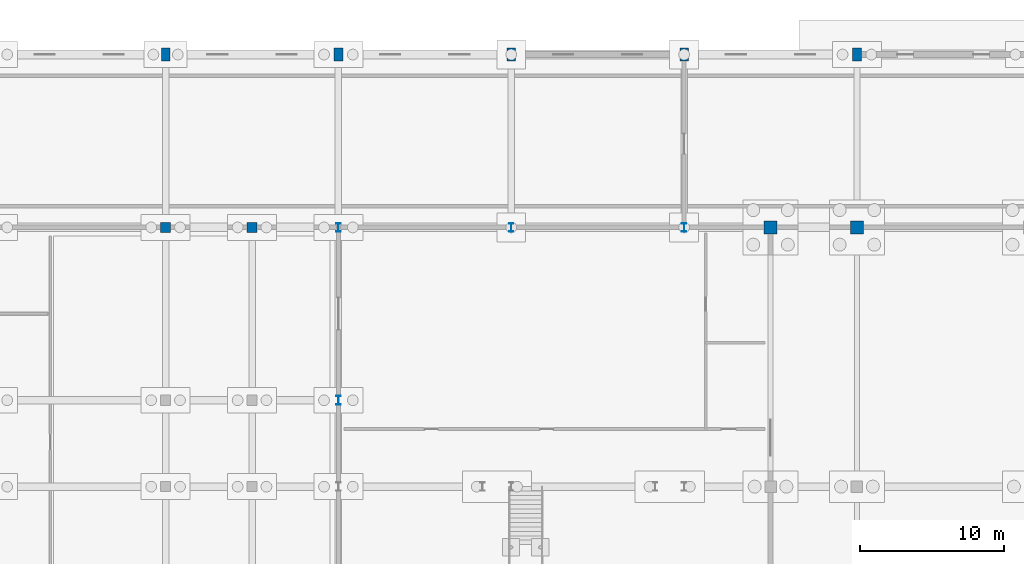
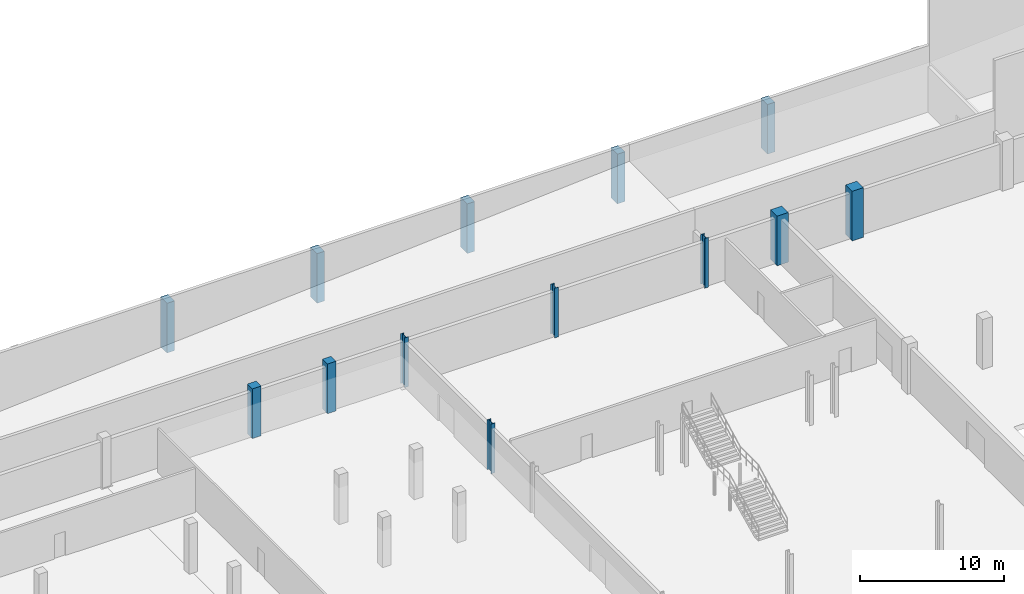
# One storey, part 33 of 77: 13 columns.
"""IFC4 building model written with IfcOpenShell, lengths in metres."""

from ifc_helpers import new_model, si_unit, direction, frame, origin, origin_2d, place, context, subcontext, project, spatial, rectangle, i_section, extrude, material, material_profile, profile_set, type_object, element, save


model = new_model("IFC4")

# Units and contexts
model_context = context("Model", 3, precision=1e-05, world=origin(), true_north=direction((0.0, 1.0)))
body_context = subcontext(model_context, "Body", "Model", "MODEL_VIEW")
ifc_project = project(units=[si_unit("LENGTHUNIT", "METRE"), si_unit("AREAUNIT", "SQUARE_METRE"), si_unit("VOLUMEUNIT", "CUBIC_METRE"), si_unit("PLANEANGLEUNIT", "RADIAN"), si_unit("MASSUNIT", "GRAM", prefix="KILO")], contexts=[model_context])

# Site, building, storey
site_placement = place(None, origin())
site = spatial("IfcSite", under=ifc_project, at=site_placement, CompositionType="ELEMENT")
building_placement = place(site_placement, origin())
building = spatial("IfcBuilding", under=site, at=building_placement, Name="Zilviju Railside Exhibition Hall", CompositionType="ELEMENT")
storey_placement = place(building_placement, origin())
storey = spatial("IfcBuildingStorey", under=building, at=storey_placement, Name="L01", CompositionType="ELEMENT", Elevation=0.0)

# Columns
ifc_material_1 = material(Name="Concrete C35/45", Category="concrete")
ifc_material_profile_1 = material_profile(ifc_material_1, rectangle(XDim=0.699951171875, YDim=0.699951171875, at=origin_2d()), Name="RC COL 700x700")
ifc_profile_set_1 = profile_set([ifc_material_profile_1], Name="Concrete C35/45")
column_type_1 = type_object("IfcColumnType", Name="COL-RC-700", PredefinedType="COLUMN", material=ifc_profile_set_1)
for number, where, z_axis, x_axis, name in (
    (1, (36.0, 138.0, 0.0), (0.0, 0.0, 1.0), (1.0, 0.0, 0.0), "Structural Column L01 (36.0, 138.0)"),
    (2, (42.0, 138.0, 0.0), (0.0, 0.0, 1.0), (1.0, 0.0, 0.0), "Structural Column L01 (42.0, 138.0)"),
):
    element("IfcColumn", number, at=place(storey_placement, frame(where, z_axis=z_axis, x_axis=x_axis)), inside=storey, type_object=column_type_1, Name=name, PredefinedType="COLUMN", context=body_context, shape_type="SweptSolid", body=[
        extrude(rectangle(XDim=0.699951171875, YDim=0.699951171875, at=origin_2d()), origin(), (0.0, 0.0, 1.0), 4.199951171875),
    ])
ifc_material_2 = material(Name="Concrete C40/50", Category="concrete")
ifc_material_profile_2 = material_profile(ifc_material_2, rectangle(XDim=0.89990234375, YDim=0.89990234375, at=origin_2d()), Name="RC COL 900x900")
ifc_profile_set_2 = profile_set([ifc_material_profile_2], Name="Concrete C40/50")
column_type_2 = type_object("IfcColumnType", Name="COL-RC-900", PredefinedType="COLUMN", material=ifc_profile_set_2)
for number, where, z_axis, x_axis, name in (
    (3, (78.0, 138.0, 0.0), (0.0, 0.0, 1.0), (1.0, 0.0, 0.0), "Structural Column L01 (78.0, 138.0)"),
    (4, (84.0, 138.0, 0.0), (0.0, 0.0, 1.0), (1.0, 0.0, 0.0), "Structural Column L01 (84.0, 138.0)"),
):
    element("IfcColumn", number, at=place(storey_placement, frame(where, z_axis=z_axis, x_axis=x_axis)), inside=storey, type_object=column_type_2, Name=name, PredefinedType="COLUMN", context=body_context, shape_type="SweptSolid", body=[
        extrude(rectangle(XDim=0.89990234375, YDim=0.89990234375, at=origin_2d()), origin(), (0.0, 0.0, 1.0), 4.199951171875),
    ])
ifc_material_profile_3 = material_profile(ifc_material_2, rectangle(XDim=0.60009765625, YDim=0.89990234375, at=origin_2d()), Name="RC COL 600x900")
ifc_profile_set_3 = profile_set([ifc_material_profile_3], Name="Concrete C40/50")
column_type_3 = type_object("IfcColumnType", Name="COL-RC-900x600", PredefinedType="COLUMN", material=ifc_profile_set_3)
for number, where, z_axis, x_axis, name in (
    (5, (36.0, 150.0, 0.0), (0.0, 0.0, 1.0), (1.0, 0.0, 0.0), "Structural Column L01 (36.0, 150.0)"),
    (6, (48.0, 150.0, 0.0), (0.0, 0.0, 1.0), (1.0, 0.0, 0.0), "Structural Column L01 (48.0, 150.0)"),
    (7, (60.0, 150.0, 0.0), (0.0, 0.0, 1.0), (1.0, 0.0, 0.0), "Structural Column L01 (60.0, 150.0)"),
    (8, (72.0, 150.0, 0.0), (0.0, 0.0, 1.0), (1.0, 0.0, 0.0), "Structural Column L01 (72.0, 150.0)"),
    (9, (84.0, 150.0, 0.0), (0.0, 0.0, 1.0), (1.0, 0.0, 0.0), "Structural Column L01 (84.0, 150.0)"),
):
    element("IfcColumn", number, at=place(storey_placement, frame(where, z_axis=z_axis, x_axis=x_axis)), inside=storey, type_object=column_type_3, Name=name, PredefinedType="COLUMN", context=body_context, shape_type="SweptSolid", body=[
        extrude(rectangle(XDim=0.60009765625, YDim=0.89990234375, at=origin_2d()), origin(), (0.0, 0.0, 1.0), 4.199951171875),
    ])
ifc_material_3 = material(Name="Steel S355J2", Category="steel")
ifc_material_profile_4 = material_profile(ifc_material_3, i_section(OverallWidth=0.300048828125, OverallDepth=0.60009765625, WebThickness=0.015380859375, FlangeThickness=0.030029296875, at=origin_2d()), Name="HEB 600")
ifc_profile_set_4 = profile_set([ifc_material_profile_4], Name="Steel S355J2")
column_type_4 = type_object("IfcColumnType", Name="COL-ST-HEB600", PredefinedType="COLUMN", material=ifc_profile_set_4)
for number, where, z_axis, x_axis, name in (
    (10, (48.0, 126.0, 0.0), (0.0, 0.0, 1.0), (1.0, 0.0, 0.0), "Structural Column L01 (48.0, 126.0)"),
    (11, (48.0, 138.0, 0.0), (0.0, 0.0, 1.0), (1.0, 0.0, 0.0), "Structural Column L01 (48.0, 138.0)"),
    (12, (60.0, 138.0, 0.0), (0.0, 0.0, 1.0), (1.0, 0.0, 0.0), "Structural Column L01 (60.0, 138.0)"),
    (13, (72.0, 138.0, 0.0), (0.0, 0.0, 1.0), (1.0, 0.0, 0.0), "Structural Column L01 (72.0, 138.0)"),
):
    element("IfcColumn", number, at=place(storey_placement, frame(where, z_axis=z_axis, x_axis=x_axis)), inside=storey, type_object=column_type_4, Name=name, PredefinedType="COLUMN", context=body_context, shape_type="SweptSolid", body=[
        extrude(i_section(OverallWidth=0.300048828125, OverallDepth=0.60009765625, WebThickness=0.015380859375, FlangeThickness=0.030029296875, at=origin_2d()), origin(), (0.0, 0.0, 1.0), 4.199951171875),
    ])

save(model, "model.ifc")
